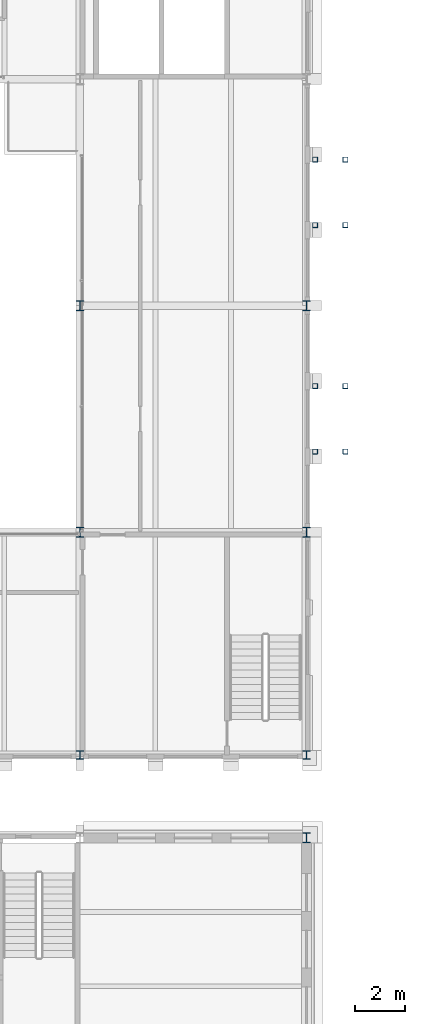
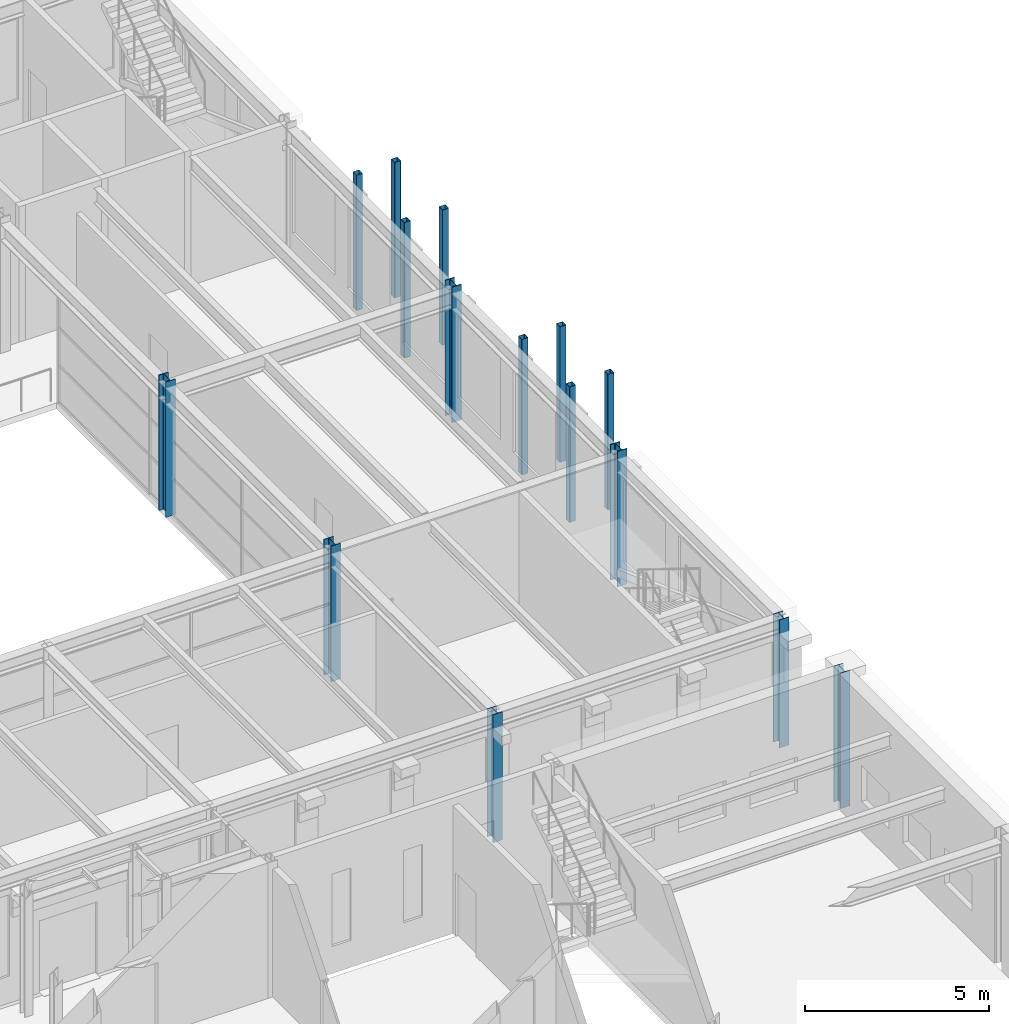
# One storey, part 6 of 153: 15 columns.
"""IFC4 building model written with IfcOpenShell, lengths in metres."""

from ifc_helpers import new_model, si_unit, direction, frame, origin, origin_2d, place, context, subcontext, project, spatial, hollow_rectangle, i_section, extrude, material, material_profile, profile_set, type_object, element, save


model = new_model("IFC4")

# Units and contexts
model_context = context("Model", 3, precision=1e-05, world=origin(), true_north=direction((0.0, 1.0)))
body_context = subcontext(model_context, "Body", "Model", "MODEL_VIEW")
ifc_project = project(units=[si_unit("LENGTHUNIT", "METRE"), si_unit("AREAUNIT", "SQUARE_METRE"), si_unit("VOLUMEUNIT", "CUBIC_METRE"), si_unit("PLANEANGLEUNIT", "RADIAN"), si_unit("MASSUNIT", "GRAM", prefix="KILO")], contexts=[model_context])

# Site, building, storey
site_placement = place(None, origin())
site = spatial("IfcSite", under=ifc_project, at=site_placement, CompositionType="ELEMENT")
building_placement = place(site_placement, origin())
building = spatial("IfcBuilding", under=site, at=building_placement, Name="Kallimachos Central Library", CompositionType="ELEMENT")
storey_placement = place(building_placement, frame((0.0, 0.0, 5.39990234375)))
storey = spatial("IfcBuildingStorey", under=building, at=storey_placement, Name="L01", CompositionType="ELEMENT", Elevation=5.39990234375)

# Columns
ifc_material_1 = material(Name="Steel S355J2", Category="steel")
ifc_material_profile_1 = material_profile(ifc_material_1, i_section(OverallWidth=0.300048828125, OverallDepth=0.340087890625, WebThickness=0.011962890625, FlangeThickness=0.021484375, FilletRadius=0.027099609375, at=origin_2d()), Name="HEB 340")
ifc_profile_set_1 = profile_set([ifc_material_profile_1], Name="Steel S355J2")
column_type_1 = type_object("IfcColumnType", Name="HEB 340 column", PredefinedType="COLUMN", material=ifc_profile_set_1)
for number, where, z_axis, x_axis, name in (
    (1, (101.5, 48.14990234375, 0.0), (0.0, 0.0, 1.0), (1.0, 0.0, 0.0), "V4-COL-L01-001"),
    (2, (110.5, 48.14990234375, 0.0), (0.0, 0.0, 1.0), (1.0, 0.0, 0.0), "V4-COL-L01-002"),
):
    element("IfcColumn", number, at=place(storey_placement, frame(where, z_axis=z_axis, x_axis=x_axis)), inside=storey, type_object=column_type_1, Name=name, PredefinedType="COLUMN", context=body_context, shape_type="SweptSolid", body=[
        extrude(i_section(OverallWidth=0.300048828125, OverallDepth=0.340087890625, WebThickness=0.011962890625, FlangeThickness=0.021484375, FilletRadius=0.027099609375, at=origin_2d()), origin(), (0.0, 0.0, 1.0), 4.25),
    ])
ifc_material_2 = material(Name="Steel S355J2", Category="steel")
ifc_material_profile_2 = material_profile(ifc_material_2, i_section(OverallWidth=0.300048828125, OverallDepth=0.39990234375, WebThickness=0.013427734375, FlangeThickness=0.02392578125, FilletRadius=0.027099609375, at=origin_2d()), Name="HEB 400")
ifc_profile_set_2 = profile_set([ifc_material_profile_2], Name="Steel S355J2")
column_type_2 = type_object("IfcColumnType", Name="HEB 400 column", PredefinedType="COLUMN", material=ifc_profile_set_2)
for number, where, z_axis, x_axis, name in (
    (3, (110.5, 44.85009765625, 0.0), (0.0, 0.0, 1.0), (1.0, 0.0, 0.0), "V5-COL-L01-024"),
    (4, (101.5, 57.0, 0.0), (0.0, 0.0, 1.0), (1.0, 0.0, 0.0), "V4-COL-L01-007"),
    (5, (110.5, 57.0, 0.0), (0.0, 0.0, 1.0), (1.0, 0.0, 0.0), "V4-COL-L01-008"),
    (6, (101.5, 66.0, 0.0), (0.0, 0.0, 1.0), (1.0, 0.0, 0.0), "V4-COL-L01-013"),
    (7, (110.5, 66.0, 0.0), (0.0, 0.0, 1.0), (1.0, 0.0, 0.0), "V4-COL-L01-014"),
):
    element("IfcColumn", number, at=place(storey_placement, frame(where, z_axis=z_axis, x_axis=x_axis)), inside=storey, type_object=column_type_2, Name=name, PredefinedType="COLUMN", context=body_context, shape_type="SweptSolid", body=[
        extrude(i_section(OverallWidth=0.300048828125, OverallDepth=0.39990234375, WebThickness=0.013427734375, FlangeThickness=0.02392578125, FilletRadius=0.027099609375, at=origin_2d()), origin(), (0.0, 0.0, 1.0), 4.5),
    ])
ifc_material_3 = material(Name="Steel S355J2H", Category="steel")
ifc_material_profile_3 = material_profile(ifc_material_3, hollow_rectangle(XDim=0.199951171875, YDim=0.199951171875, WallThickness=0.010009765625, InnerFilletRadius=0.010009765625, OuterFilletRadius=0.014892578125, at=origin_2d()), Name="SHS 200x200x10")
ifc_profile_set_3 = profile_set([ifc_material_profile_3], Name="Steel S355J2H")
column_type_3 = type_object("IfcColumnType", Name="SHS 200x200x10 column", PredefinedType="COLUMN", material=ifc_profile_set_3)
for number, where, z_axis, x_axis, name in (
    (8, (110.85009765625, 60.199951171875, 0.0), (0.0, 0.0, 1.0), (1.0, 0.0, 0.0), "Tribune bay E1 column 1"),
    (9, (110.85009765625, 62.800048828125, 0.0), (0.0, 0.0, 1.0), (1.0, 0.0, 0.0), "Tribune bay E1 column 2"),
    (10, (112.050048828125, 60.199951171875, 0.0), (0.0, 0.0, 1.0), (1.0, 0.0, 0.0), "Tribune bay E1 column 3"),
    (11, (112.050048828125, 62.800048828125, 0.0), (0.0, 0.0, 1.0), (1.0, 0.0, 0.0), "Tribune bay E1 column 4"),
    (12, (110.85009765625, 69.199951171875, 0.0), (0.0, 0.0, 1.0), (1.0, 0.0, 0.0), "Tribune bay E2 column 1"),
    (13, (110.85009765625, 71.800048828125, 0.0), (0.0, 0.0, 1.0), (1.0, 0.0, 0.0), "Tribune bay E2 column 2"),
    (14, (112.050048828125, 69.199951171875, 0.0), (0.0, 0.0, 1.0), (1.0, 0.0, 0.0), "Tribune bay E2 column 3"),
    (15, (112.050048828125, 71.800048828125, 0.0), (0.0, 0.0, 1.0), (1.0, 0.0, 0.0), "Tribune bay E2 column 4"),
):
    element("IfcColumn", number, at=place(storey_placement, frame(where, z_axis=z_axis, x_axis=x_axis)), inside=storey, type_object=column_type_3, Name=name, PredefinedType="COLUMN", context=body_context, shape_type="SweptSolid", body=[
        extrude(hollow_rectangle(XDim=0.199951171875, YDim=0.199951171875, WallThickness=0.010009765625, InnerFilletRadius=0.010009765625, OuterFilletRadius=0.014892578125, at=origin_2d()), origin(), (0.0, 0.0, 1.0), 4.5),
    ])

save(model, "model.ifc")
